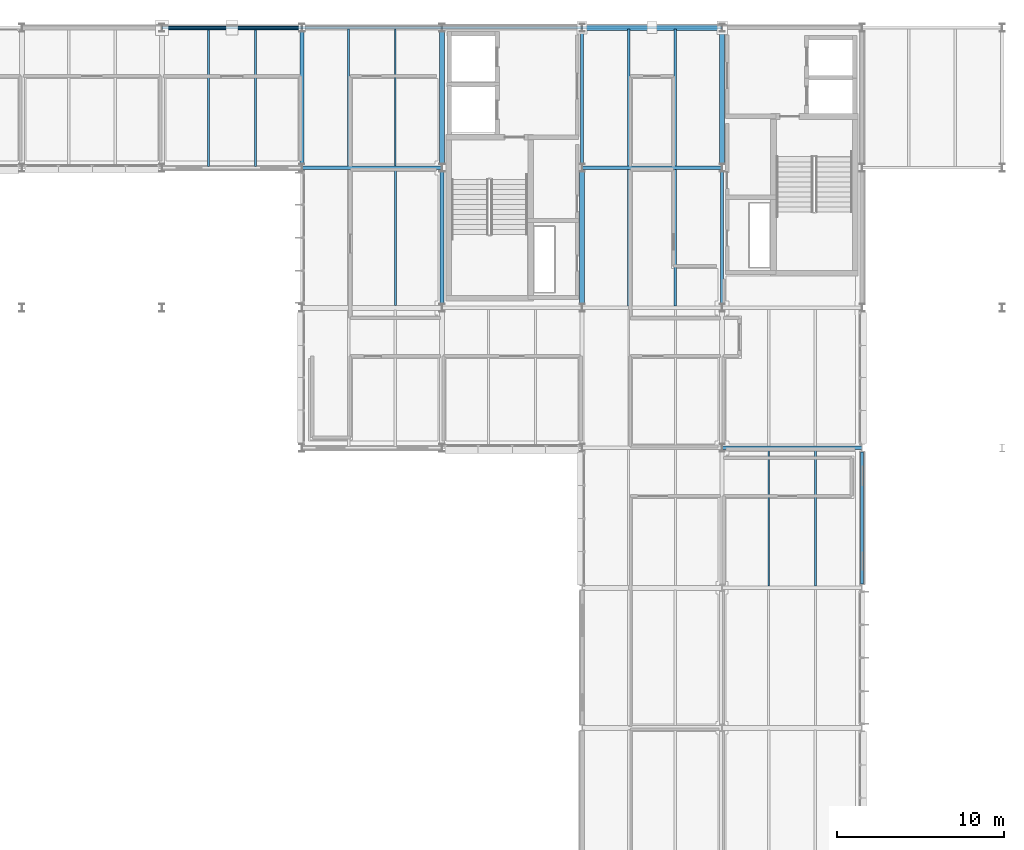
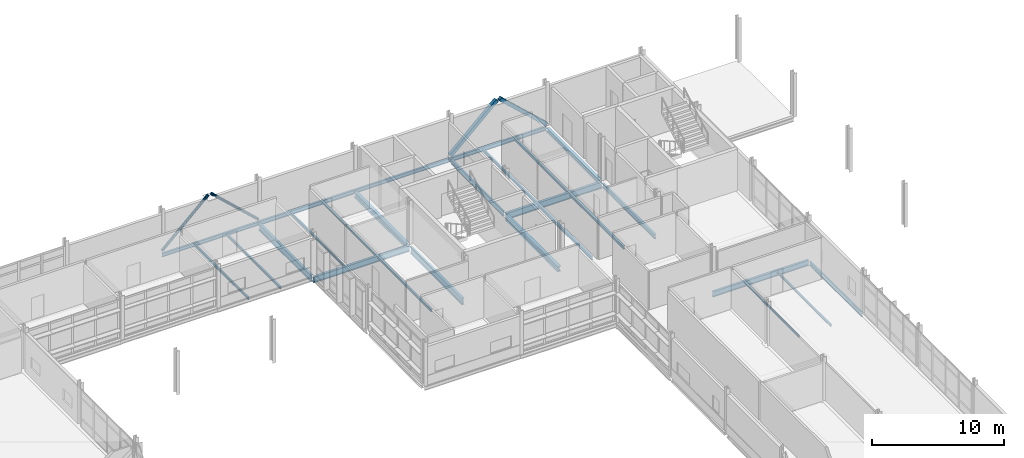
# One storey, part 93 of 131: 26 beams, 4 members.
"""IFC4 building model written with IfcOpenShell, lengths in metres."""

from ifc_helpers import new_model, si_unit, direction, frame, origin, origin_2d, place, context, subcontext, project, spatial, hollow_rectangle, hollow_circle, i_section, extrude, material, material_profile, profile_set, type_object, element, save


model = new_model("IFC4")

# Units and contexts
model_context = context("Model", 3, precision=1e-05, world=origin(), true_north=direction((0.0, 1.0)))
body_context = subcontext(model_context, "Body", "Model", "MODEL_VIEW")
ifc_project = project(units=[si_unit("LENGTHUNIT", "METRE"), si_unit("AREAUNIT", "SQUARE_METRE"), si_unit("VOLUMEUNIT", "CUBIC_METRE"), si_unit("PLANEANGLEUNIT", "RADIAN"), si_unit("MASSUNIT", "GRAM", prefix="KILO")], contexts=[model_context])

# Site, building, storey
site_placement = place(None, origin())
site = spatial("IfcSite", under=ifc_project, at=site_placement, CompositionType="ELEMENT")
building_placement = place(site_placement, origin())
building = spatial("IfcBuilding", under=site, at=building_placement, Name="Mersafa Astral City Hall", CompositionType="ELEMENT")
storey_placement = place(building_placement, frame((0.0, 0.0, 13.949951171875)))
storey = spatial("IfcBuildingStorey", under=building, at=storey_placement, Name="L03", CompositionType="ELEMENT", Elevation=13.949951171875)

# Beams
ifc_material = material(Name="Steel S355", Category="steel")
ifc_material_profile_1 = material_profile(ifc_material, i_section(OverallWidth=0.300048828125, OverallDepth=0.35009765625, WebThickness=0.010009765625, FlangeThickness=0.017578125, FilletRadius=0.027099609375, at=origin_2d()), Name="HEA 360")
ifc_profile_set_1 = profile_set([ifc_material_profile_1], Name="Steel S355")
beam_type_1 = type_object("IfcBeamType", Name="STR-BM-HEA360", PredefinedType="BEAM", material=ifc_profile_set_1)
beam_1_placement = place(storey_placement, frame((168.0, 117.844970703125, -0.375), z_axis=(0.0, 1.0, 0.0), x_axis=(-1.0, 0.0, 0.0)))
element("IfcBeam", 1, at=beam_1_placement, inside=storey, type_object=beam_type_1, Name="L03 Primary girder Y 20-14", PredefinedType="BEAM", context=body_context, shape_type="SweptSolid", body=[
    extrude(i_section(OverallWidth=0.300048828125, OverallDepth=0.35009765625, WebThickness=0.010009765625, FlangeThickness=0.017578125, FilletRadius=0.027099609375, at=origin_2d()), origin(), (0.0, 0.0, 1.0), 7.909912109375),
])
ifc_material_profile_2 = material_profile(ifc_material, i_section(OverallWidth=0.300048828125, OverallDepth=0.489990234375, WebThickness=0.011962890625, FlangeThickness=0.02294921875, FilletRadius=0.027099609375, at=origin_2d()), Name="HEA 500")
ifc_profile_set_2 = profile_set([ifc_material_profile_2], Name="Steel S355")
beam_type_2 = type_object("IfcBeamType", Name="STR-BM-HEA500", PredefinedType="BEAM", material=ifc_profile_set_2)
for number, where, z_axis, x_axis, name in (
    (2, (151.199951171875, 117.844970703125, -0.445068359375), (0.0, 1.0, 0.0), (-1.0, 0.0, 0.0), "L03 Primary girder Y 18-14"),
    (3, (159.60009765625, 109.445068359375, -0.445068359375), (0.0, 1.0, 0.0), (-1.0, 0.0, 0.0), "L03 Primary girder Y 19-13"),
):
    element("IfcBeam", number, at=place(storey_placement, frame(where, z_axis=z_axis, x_axis=x_axis)), inside=storey, type_object=beam_type_2, Name=name, PredefinedType="BEAM", context=body_context, shape_type="SweptSolid", body=[
        extrude(i_section(OverallWidth=0.300048828125, OverallDepth=0.489990234375, WebThickness=0.011962890625, FlangeThickness=0.02294921875, FilletRadius=0.027099609375, at=origin_2d()), origin(), (0.0, 0.0, 1.0), 7.909912109375),
    ])
ifc_material_profile_3 = material_profile(ifc_material, i_section(OverallWidth=0.179931640625, OverallDepth=0.39990234375, WebThickness=0.008544921875, FlangeThickness=0.013427734375, FilletRadius=0.02099609375, at=origin_2d()), Name="IPE 400")
ifc_profile_set_3 = profile_set([ifc_material_profile_3], Name="Steel S355")
beam_type_3 = type_object("IfcBeamType", Name="STR-BM-IPE400", PredefinedType="BEAM", material=ifc_profile_set_3)
for number, where, z_axis, x_axis, name in (
    (4, (159.60009765625, 117.844970703125, -0.39990234375), (0.0, 1.0, 0.0), (-1.0, 0.0, 0.0), "L03 Primary girder Y 19-14"),
    (5, (168.0, 109.445068359375, -0.39990234375), (0.0, 1.0, 0.0), (-1.0, 0.0, 0.0), "L03 Primary girder Y 20-13"),
):
    element("IfcBeam", number, at=place(storey_placement, frame(where, z_axis=z_axis, x_axis=x_axis)), inside=storey, type_object=beam_type_3, Name=name, PredefinedType="BEAM", context=body_context, shape_type="SweptSolid", body=[
        extrude(i_section(OverallWidth=0.179931640625, OverallDepth=0.39990234375, WebThickness=0.008544921875, FlangeThickness=0.013427734375, FilletRadius=0.02099609375, at=origin_2d()), origin(), (0.0, 0.0, 1.0), 7.909912109375),
    ])
ifc_material_profile_4 = material_profile(ifc_material, i_section(OverallWidth=0.199951171875, OverallDepth=0.5, WebThickness=0.01025390625, FlangeThickness=0.01611328125, FilletRadius=0.02099609375, at=origin_2d()), Name="IPE 500")
ifc_profile_set_4 = profile_set([ifc_material_profile_4], Name="Steel S355")
beam_type_4 = type_object("IfcBeamType", Name="STR-BM-IPE500", PredefinedType="BEAM", material=ifc_profile_set_4)
beam_2_placement = place(storey_placement, frame((168.0029296875, 100.800048828125, -0.449951171875), z_axis=(1.0, 0.0, 0.0), x_axis=(0.0, 1.0, 0.0)))
element("IfcBeam", 6, at=beam_2_placement, inside=storey, type_object=beam_type_4, Name="L03 Primary girder X 20-12", PredefinedType="BEAM", context=body_context, shape_type="SweptSolid", body=[
    extrude(i_section(OverallWidth=0.199951171875, OverallDepth=0.5, WebThickness=0.01025390625, FlangeThickness=0.01611328125, FilletRadius=0.02099609375, at=origin_2d()), origin(), (0.0, 0.0, 1.0), 8.39404296875),
])
ifc_material_profile_5 = material_profile(ifc_material, i_section(OverallWidth=0.2099609375, OverallDepth=0.550048828125, WebThickness=0.010986328125, FlangeThickness=0.01708984375, FilletRadius=0.02392578125, at=origin_2d()), Name="IPE 550")
ifc_profile_set_5 = profile_set([ifc_material_profile_5], Name="Steel S355")
beam_type_5 = type_object("IfcBeamType", Name="STR-BM-IPE550", PredefinedType="BEAM", material=ifc_profile_set_5)
beam_3_placement = place(storey_placement, frame((142.802978515625, 117.60009765625, -0.474853515625), z_axis=(1.0, 0.0, 0.0), x_axis=(0.0, 1.0, 0.0)))
element("IfcBeam", 7, at=beam_3_placement, inside=storey, type_object=beam_type_5, Name="L03 Primary girder X 17-14", PredefinedType="BEAM", context=body_context, shape_type="SweptSolid", body=[
    extrude(i_section(OverallWidth=0.2099609375, OverallDepth=0.550048828125, WebThickness=0.010986328125, FlangeThickness=0.01708984375, FilletRadius=0.02392578125, at=origin_2d()), origin(), (0.0, 0.0, 1.0), 8.39404296875),
])
ifc_material_profile_6 = material_profile(ifc_material, i_section(OverallWidth=0.219970703125, OverallDepth=0.60009765625, WebThickness=0.011962890625, FlangeThickness=0.01904296875, FilletRadius=0.02392578125, at=origin_2d()), Name="IPE 600")
ifc_profile_set_6 = profile_set([ifc_material_profile_6], Name="Steel S355")
beam_type_6 = type_object("IfcBeamType", Name="STR-BM-IPE600", PredefinedType="BEAM", material=ifc_profile_set_6)
beam_4_placement = place(storey_placement, frame((159.60302734375, 117.60009765625, -0.5), z_axis=(1.0, 0.0, 0.0), x_axis=(0.0, 1.0, 0.0)))
element("IfcBeam", 8, at=beam_4_placement, inside=storey, type_object=beam_type_6, Name="L03 Primary girder X 19-14", PredefinedType="BEAM", context=body_context, shape_type="SweptSolid", body=[
    extrude(i_section(OverallWidth=0.219970703125, OverallDepth=0.60009765625, WebThickness=0.011962890625, FlangeThickness=0.01904296875, FilletRadius=0.02392578125, at=origin_2d()), origin(), (0.0, 0.0, 1.0), 8.39404296875),
])
for number, where, z_axis, x_axis, name in (
    (9, (142.800048828125, 117.844970703125, -0.5), (0.0, 1.0, 0.0), (-1.0, 0.0, 0.0), "L03 Primary girder Y 17-14"),
    (10, (151.199951171875, 109.445068359375, -0.5), (0.0, 1.0, 0.0), (-1.0, 0.0, 0.0), "L03 Primary girder Y 18-13"),
):
    element("IfcBeam", number, at=place(storey_placement, frame(where, z_axis=z_axis, x_axis=x_axis)), inside=storey, type_object=beam_type_6, Name=name, PredefinedType="BEAM", context=body_context, shape_type="SweptSolid", body=[
        extrude(i_section(OverallWidth=0.219970703125, OverallDepth=0.60009765625, WebThickness=0.011962890625, FlangeThickness=0.01904296875, FilletRadius=0.02392578125, at=origin_2d()), origin(), (0.0, 0.0, 1.0), 7.909912109375),
    ])
ifc_material_profile_7 = material_profile(ifc_material, i_section(OverallWidth=0.110107421875, OverallDepth=0.219970703125, WebThickness=0.005859375, FlangeThickness=0.00927734375, FilletRadius=0.011962890625, at=origin_2d()), Name="IPE 220")
ifc_profile_set_7 = profile_set([ifc_material_profile_7], Name="Steel S355")
beam_type_7 = type_object("IfcBeamType", Name="STR-BM-JOIST-IPE220", PredefinedType="JOIST", material=ifc_profile_set_7)
for number, where, z_axis, x_axis, name in (
    (11, (145.60009765625, 117.699951171875, -0.31005859375), (0.0, 1.0, 0.0), (-1.0, 0.0, 0.0), "L03 Composite secondary floor joist 648"),
    (12, (148.39990234375, 117.699951171875, -0.31005859375), (0.0, 1.0, 0.0), (-1.0, 0.0, 0.0), "L03 Composite secondary floor joist 649"),
):
    element("IfcBeam", number, at=place(storey_placement, frame(where, z_axis=z_axis, x_axis=x_axis)), inside=storey, type_object=beam_type_7, Name=name, PredefinedType="JOIST", context=body_context, shape_type="SweptSolid", body=[
        extrude(i_section(OverallWidth=0.110107421875, OverallDepth=0.219970703125, WebThickness=0.005859375, FlangeThickness=0.00927734375, FilletRadius=0.011962890625, at=origin_2d()), origin(), (0.0, 0.0, 1.0), 8.219970703125),
    ])
for number, where, z_axis, x_axis, name in (
    (13, (170.800048828125, 92.5, -0.31005859375), (0.0, 1.0, 0.0), (-1.0, 0.0, 0.0), "L03 Composite secondary floor joist 677"),
    (14, (173.60009765625, 92.5, -0.31005859375), (0.0, 1.0, 0.0), (-1.0, 0.0, 0.0), "L03 Composite secondary floor joist 678"),
):
    element("IfcBeam", number, at=place(storey_placement, frame(where, z_axis=z_axis, x_axis=x_axis)), inside=storey, type_object=beam_type_7, Name=name, PredefinedType="JOIST", context=body_context, shape_type="SweptSolid", body=[
        extrude(i_section(OverallWidth=0.110107421875, OverallDepth=0.219970703125, WebThickness=0.005859375, FlangeThickness=0.00927734375, FilletRadius=0.011962890625, at=origin_2d()), origin(), (0.0, 0.0, 1.0), 8.205078125),
    ])
ifc_material_profile_8 = material_profile(ifc_material, i_section(OverallWidth=0.1201171875, OverallDepth=0.239990234375, WebThickness=0.006103515625, FlangeThickness=0.009765625, FilletRadius=0.014892578125, at=origin_2d()), Name="IPE 240")
ifc_profile_set_8 = profile_set([ifc_material_profile_8], Name="Steel S355")
beam_type_8 = type_object("IfcBeamType", Name="STR-BM-JOIST-IPE240", PredefinedType="JOIST", material=ifc_profile_set_8)
for number, where, z_axis, x_axis, name in (
    (15, (137.199951171875, 117.679931640625, -0.320068359375), (0.0, 1.0, 0.0), (-1.0, 0.0, 0.0), "L03 Composite secondary floor joist 642"),
    (16, (140.0, 117.679931640625, -0.320068359375), (0.0, 1.0, 0.0), (-1.0, 0.0, 0.0), "L03 Composite secondary floor joist 643"),
):
    element("IfcBeam", number, at=place(storey_placement, frame(where, z_axis=z_axis, x_axis=x_axis)), inside=storey, type_object=beam_type_8, Name=name, PredefinedType="JOIST", context=body_context, shape_type="SweptSolid", body=[
        extrude(i_section(OverallWidth=0.1201171875, OverallDepth=0.239990234375, WebThickness=0.006103515625, FlangeThickness=0.009765625, FilletRadius=0.014892578125, at=origin_2d()), origin(), (0.0, 0.0, 1.0), 8.2451171875),
    ])
beam_5_placement = place(storey_placement, frame((148.39990234375, 109.344970703125, -0.320068359375), z_axis=(0.0, 1.0, 0.0), x_axis=(-1.0, 0.0, 0.0)))
element("IfcBeam", 17, at=beam_5_placement, inside=storey, type_object=beam_type_8, Name="L03 Composite secondary floor joist 647", PredefinedType="JOIST", context=body_context, shape_type="SweptSolid", body=[
    extrude(i_section(OverallWidth=0.1201171875, OverallDepth=0.239990234375, WebThickness=0.006103515625, FlangeThickness=0.009765625, FilletRadius=0.014892578125, at=origin_2d()), origin(), (0.0, 0.0, 1.0), 8.155029296875),
])
ifc_material_profile_9 = material_profile(ifc_material, i_section(OverallWidth=0.135009765625, OverallDepth=0.27001953125, WebThickness=0.006591796875, FlangeThickness=0.01025390625, FilletRadius=0.014892578125, at=origin_2d()), Name="IPE 270")
ifc_profile_set_9 = profile_set([ifc_material_profile_9], Name="Steel S355")
beam_type_9 = type_object("IfcBeamType", Name="STR-BM-JOIST-IPE270", PredefinedType="JOIST", material=ifc_profile_set_9)
for number, where, z_axis, x_axis, name in (
    (18, (162.39990234375, 117.705078125, -0.3349609375), (0.0, 1.0, 0.0), (-1.0, 0.0, 0.0), "L03 Composite secondary floor joist 668"),
    (19, (165.199951171875, 117.705078125, -0.3349609375), (0.0, 1.0, 0.0), (-1.0, 0.0, 0.0), "L03 Composite secondary floor joist 669"),
):
    element("IfcBeam", number, at=place(storey_placement, frame(where, z_axis=z_axis, x_axis=x_axis)), inside=storey, type_object=beam_type_9, Name=name, PredefinedType="JOIST", context=body_context, shape_type="SweptSolid", body=[
        extrude(i_section(OverallWidth=0.135009765625, OverallDepth=0.27001953125, WebThickness=0.006591796875, FlangeThickness=0.01025390625, FilletRadius=0.014892578125, at=origin_2d()), origin(), (0.0, 0.0, 1.0), 8.21484375),
    ])
ifc_material_profile_10 = material_profile(ifc_material, i_section(OverallWidth=0.14990234375, OverallDepth=0.300048828125, WebThickness=0.007080078125, FlangeThickness=0.0107421875, FilletRadius=0.014892578125, at=origin_2d()), Name="IPE 300")
ifc_profile_set_10 = profile_set([ifc_material_profile_10], Name="Steel S355")
beam_type_10 = type_object("IfcBeamType", Name="STR-BM-JOIST-IPE300", PredefinedType="JOIST", material=ifc_profile_set_10)
for number, where, z_axis, x_axis, name in (
    (20, (162.39990234375, 109.294921875, -0.349853515625), (0.0, 1.0, 0.0), (-1.0, 0.0, 0.0), "L03 Composite secondary floor joist 666"),
    (21, (165.199951171875, 109.294921875, -0.349853515625), (0.0, 1.0, 0.0), (-1.0, 0.0, 0.0), "L03 Composite secondary floor joist 667"),
):
    element("IfcBeam", number, at=place(storey_placement, frame(where, z_axis=z_axis, x_axis=x_axis)), inside=storey, type_object=beam_type_10, Name=name, PredefinedType="JOIST", context=body_context, shape_type="SweptSolid", body=[
        extrude(i_section(OverallWidth=0.14990234375, OverallDepth=0.300048828125, WebThickness=0.007080078125, FlangeThickness=0.0107421875, FilletRadius=0.014892578125, at=origin_2d()), origin(), (0.0, 0.0, 1.0), 8.2001953125),
    ])
ifc_material_profile_11 = material_profile(ifc_material, i_section(OverallWidth=0.159912109375, OverallDepth=0.330078125, WebThickness=0.007568359375, FlangeThickness=0.011474609375, FilletRadius=0.01806640625, at=origin_2d()), Name="IPE 330")
ifc_profile_set_11 = profile_set([ifc_material_profile_11], Name="Steel S355")
beam_type_11 = type_object("IfcBeamType", Name="STR-BM-SPANDREL-IPE330", PredefinedType="SPANDREL", material=ifc_profile_set_11)
for number, where, z_axis, x_axis, name in (
    (22, (134.403076171875, 126.0, -0.364990234375), (1.0, 0.0, 0.0), (0.0, 1.0, 0.0), "L03 Primary girder X 16-15"),
    (23, (151.202880859375, 126.0, -0.364990234375), (1.0, 0.0, 0.0), (0.0, 1.0, 0.0), "L03 Primary girder X 18-15"),
):
    element("IfcBeam", number, at=place(storey_placement, frame(where, z_axis=z_axis, x_axis=x_axis)), inside=storey, type_object=beam_type_11, Name=name, PredefinedType="SPANDREL", context=body_context, shape_type="SweptSolid", body=[
        extrude(i_section(OverallWidth=0.159912109375, OverallDepth=0.330078125, WebThickness=0.007568359375, FlangeThickness=0.011474609375, FilletRadius=0.01806640625, at=origin_2d()), origin(), (0.0, 0.0, 1.0), 8.39404296875),
    ])
ifc_material_profile_12 = material_profile(ifc_material, i_section(OverallWidth=0.169921875, OverallDepth=0.360107421875, WebThickness=0.008056640625, FlangeThickness=0.0126953125, FilletRadius=0.01806640625, at=origin_2d()), Name="IPE 360")
ifc_profile_set_12 = profile_set([ifc_material_profile_12], Name="Steel S355")
beam_type_12 = type_object("IfcBeamType", Name="STR-BM-SPANDREL-IPE360", PredefinedType="SPANDREL", material=ifc_profile_set_12)
for number, where, z_axis, x_axis, name in (
    (24, (142.802978515625, 126.0, -0.3798828125), (1.0, 0.0, 0.0), (0.0, 1.0, 0.0), "L03 Primary girder X 17-15"),
    (25, (159.60302734375, 126.0, -0.3798828125), (1.0, 0.0, 0.0), (0.0, 1.0, 0.0), "L03 Primary girder X 19-15"),
):
    element("IfcBeam", number, at=place(storey_placement, frame(where, z_axis=z_axis, x_axis=x_axis)), inside=storey, type_object=beam_type_12, Name=name, PredefinedType="SPANDREL", context=body_context, shape_type="SweptSolid", body=[
        extrude(i_section(OverallWidth=0.169921875, OverallDepth=0.360107421875, WebThickness=0.008056640625, FlangeThickness=0.0126953125, FilletRadius=0.01806640625, at=origin_2d()), origin(), (0.0, 0.0, 1.0), 8.39404296875),
    ])
beam_6_placement = place(storey_placement, frame((176.39990234375, 92.6201171875, -0.3798828125), z_axis=(0.0, 1.0, 0.0), x_axis=(-1.0, 0.0, 0.0)))
element("IfcBeam", 26, at=beam_6_placement, inside=storey, type_object=beam_type_12, Name="L03 Primary girder Y 21-11", PredefinedType="SPANDREL", context=body_context, shape_type="SweptSolid", body=[
    extrude(i_section(OverallWidth=0.169921875, OverallDepth=0.360107421875, WebThickness=0.008056640625, FlangeThickness=0.0126953125, FilletRadius=0.01806640625, at=origin_2d()), origin(), (0.0, 0.0, 1.0), 7.934814453125),
])

# Members
ifc_material_profile_13 = material_profile(ifc_material, hollow_circle(Radius=0.122314453125, WallThickness=0.012451171875, at=origin_2d()), Name="CHS 244.5x12.5")
ifc_profile_set_13 = profile_set([ifc_material_profile_13], Name="Steel S355")
member_type_1 = type_object("IfcMemberType", Name="STR-MBR-BRACE-CHS245", PredefinedType="BRACE", material=ifc_profile_set_13)
for number, where, z_axis, x_axis, name in (
    (27, (134.39794921875, 126.0, 0.02001953125), (0.732498631984, 0.0, 0.680768502607), (0.0, 1.0, 0.0), "L03 Chevron lateral brace 17A"),
    (28, (142.802001953125, 126.0, 0.02001953125), (-0.732498631984, 0.0, 0.680768502607), (0.0, -1.0, 0.0), "L03 Chevron lateral brace 17B"),
):
    element("IfcMember", number, at=place(storey_placement, frame(where, z_axis=z_axis, x_axis=x_axis)), inside=storey, type_object=member_type_1, Name=name, PredefinedType="BRACE", context=body_context, shape_type="SweptSolid", body=[
        extrude(hollow_circle(Radius=0.122314453125, WallThickness=0.012451171875, at=origin_2d()), origin(), (0.0, 0.0, 1.0), 5.54541015625),
    ])
ifc_material_profile_14 = material_profile(ifc_material, hollow_rectangle(XDim=0.300048828125, YDim=0.300048828125, WallThickness=0.01611328125, at=origin_2d()), Name="RHS 300x300x16")
ifc_profile_set_14 = profile_set([ifc_material_profile_14], Name="Steel S355")
member_type_2 = type_object("IfcMemberType", Name="STR-MBR-STRUT-RHS300", PredefinedType="BRACE", material=ifc_profile_set_14)
for number, where, z_axis, x_axis, name in (
    (29, (159.597900390625, 126.0, 0.02001953125), (0.735203128341, 0.0, 0.677846855917), (0.0, 1.0, 0.0), "L03 Chevron lateral brace 26A"),
    (30, (168.001953125, 126.0, 0.02001953125), (-0.735203128341, 0.0, 0.677846855917), (0.0, -1.0, 0.0), "L03 Chevron lateral brace 26B"),
):
    element("IfcMember", number, at=place(storey_placement, frame(where, z_axis=z_axis, x_axis=x_axis)), inside=storey, type_object=member_type_2, Name=name, PredefinedType="BRACE", context=body_context, shape_type="SweptSolid", body=[
        extrude(hollow_rectangle(XDim=0.300048828125, YDim=0.300048828125, WallThickness=0.01611328125, at=origin_2d()), origin(), (0.0, 0.0, 1.0), 5.52490234375),
    ])

save(model, "model.ifc")
